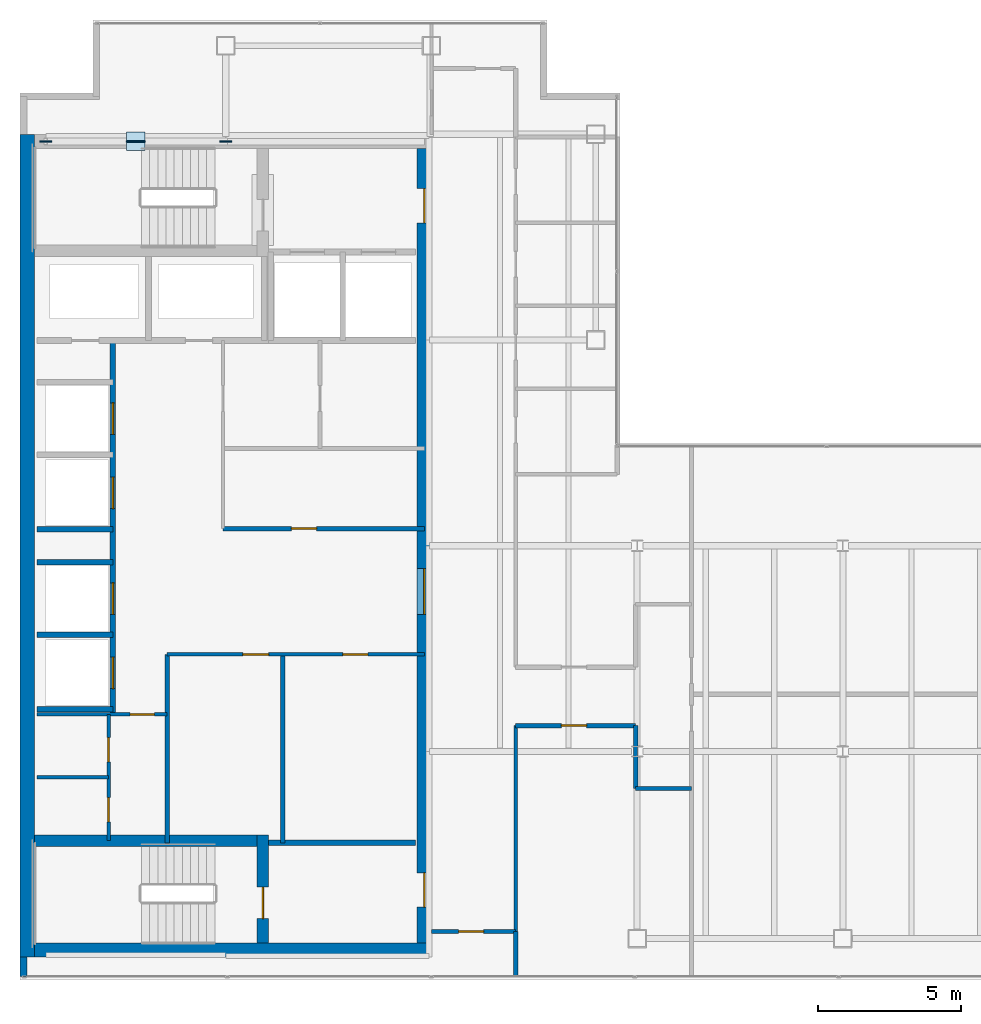
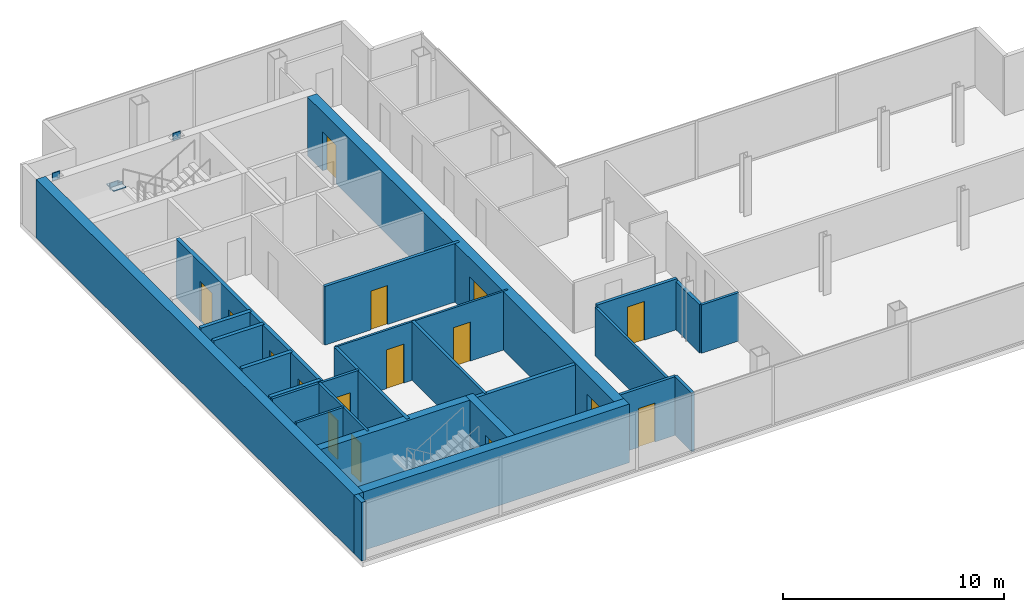
# One storey, part 20 of 23: 25 walls, 16 doors, 5 plates, 16 openings.
"""IFC4 building model written with IfcOpenShell, lengths in metres."""

from ifc_helpers import new_model, si_unit, direction, frame, frame_2d, origin, origin_2d, place, context, subcontext, project, spatial, rectangle, extrude, material, layer, layer_set, type_object, element, fill, save


model = new_model("IFC4")

# Units and contexts
model_context = context("Model", 3, precision=1e-05, world=origin(), true_north=direction((0.0, 1.0)))
body_context = subcontext(model_context, "Body", "Model", "MODEL_VIEW")
ifc_project = project(units=[si_unit("LENGTHUNIT", "METRE"), si_unit("AREAUNIT", "SQUARE_METRE"), si_unit("VOLUMEUNIT", "CUBIC_METRE"), si_unit("PLANEANGLEUNIT", "RADIAN"), si_unit("MASSUNIT", "GRAM", prefix="KILO")], contexts=[model_context])

# Site, building, storey
site_placement = place(None, origin())
site = spatial("IfcSite", under=ifc_project, at=site_placement, CompositionType="ELEMENT")
building_placement = place(site_placement, origin())
building = spatial("IfcBuilding", under=site, at=building_placement, Name="Cobrela Telecom Tower", CompositionType="ELEMENT")
storey_placement = place(building_placement, frame((0.0, 0.0, 255.14990234375)))
storey = spatial("IfcBuildingStorey", under=building, at=storey_placement, Name="L66", CompositionType="ELEMENT", Elevation=255.14990234375)

# Plates
ifc_material_1 = material(Name="Steel ASTM A572 Grade 50", Category="steel")
ifc_layer_1 = layer(ifc_material_1, 0.0419921875)
ifc_layer_set_1 = layer_set([ifc_layer_1], Name="Steel ASTM A572 Grade 50")
plate_type = type_object("IfcPlateType", Name="PLT-NODE-ND1", PredefinedType="USERDEFINED", material=ifc_layer_set_1)
for number, where, z_axis, x_axis, name in (
    (1, (7.199951171875, 35.75, 3.0751953125), (0.0, 0.0, 1.0), (1.0, 0.0, 0.0), "Steel node plate PLT-MBR-EXO-L66-N1-A-1"),
    (2, (4.173828125, 35.75, 1.349609375), (0.0, 0.0, 1.0), (-1.0, 0.0, 0.0), "Steel node plate PLT-MBR-EXO-L66-N1-B1-1"),
    (3, (3.926025390625, 35.75, 1.48046875), (0.0, 0.0, 1.0), (-1.0, 0.0, 0.0), "Steel node plate PLT-MBR-EXO-L66-N1-B2-0"),
    (4, (0.89990234375, 35.75, 3.0751953125), (0.0, 0.0, 1.0), (-1.0, 0.0, 0.0), "Steel node plate PLT-MBR-EXO-L66-N1-B2-1"),
):
    element("IfcPlate", number, at=place(storey_placement, frame(where, z_axis=z_axis, x_axis=x_axis)), inside=storey, type_object=plate_type, Name=name, ObjectType="GUSSET PLATE", PredefinedType="USERDEFINED", context=body_context, shape_type="SweptSolid", body=[
        extrude(rectangle(XDim=0.409912109375, YDim=0.044921875, at=origin_2d()), origin(), (0.0, 0.0, 1.0), 0.409912109375),
    ])
plate_placement = place(storey_placement, frame((4.050048828125, 35.75, 1.59765625), z_axis=(0.0, 0.0, 1.0), x_axis=(1.0, 0.0, 0.0)))
element("IfcPlate", 5, at=plate_placement, inside=storey, type_object=plate_type, Name="L66 Core Flange Steel X-Brace Central X-Crossing Gusset Plate", ObjectType="GUSSET PLATE", PredefinedType="USERDEFINED", context=body_context, shape_type="SweptSolid", body=[
    extrude(rectangle(XDim=0.64990234375, YDim=0.64990234375, at=origin_2d()), origin(), (0.0, 0.0, 1.0), 0.044921875),
])

# Walls
ifc_material_2 = material(Name="Concrete C40/50", Category="concrete")
ifc_layer_2 = layer(ifc_material_2, 0.5)
ifc_layer_set_2 = layer_set([ifc_layer_2], Name="Concrete C40/50")
wall_type_1 = type_object("IfcWallType", Name="WALL-CORE-C40-500", PredefinedType="SHEAR", material=ifc_layer_set_2)
wall_1_placement = place(storey_placement, frame((0.25, 7.199951171875, 0.0), z_axis=(0.0, 0.0, 1.0), x_axis=(0.0, 1.0, 0.0)))
element("IfcWall", 6, at=wall_1_placement, inside=storey, type_object=wall_type_1, Name="L66 West Core Shear Wall", PredefinedType="SHEAR", context=body_context, shape_type="SweptSolid", body=[
    extrude(rectangle(XDim=28.800048828125, YDim=0.5, at=frame_2d((14.39990234375, 0.0))), origin(), (0.0, 0.0, 1.0), 3.239990234375),
])
wall_2_placement = place(storey_placement, frame((0.5, 7.449951171875, 0.0), z_axis=(0.0, 0.0, 1.0), x_axis=(1.0, 0.0, 0.0)))
element("IfcWall", 7, at=wall_2_placement, inside=storey, type_object=wall_type_1, Name="L66 South Core Shear Wall", PredefinedType="SHEAR", context=body_context, shape_type="SweptSolid", body=[
    extrude(rectangle(XDim=13.89990234375, YDim=0.5, at=frame_2d((6.949951171875, 0.0))), origin(), (0.0, 0.0, 1.0), 3.239990234375),
])

# Wall, openings, doors
wall_3_placement = place(storey_placement, frame((14.14990234375, 35.5, 0.0), z_axis=(0.0, 0.0, 1.0), x_axis=(0.0, -1.0, 0.0)))
wall_3 = element("IfcWall", 8, at=wall_3_placement, inside=storey, type_object=wall_type_1, Name="L66 East Core Shear Wall", PredefinedType="SHEAR", context=body_context, shape_type="SweptSolid", body=[
    extrude(rectangle(XDim=27.800048828125, YDim=0.5, at=frame_2d((13.89990234375, 0.0))), origin(), (0.0, 0.0, 1.0), 3.239990234375),
])
opening_1_placement = place(wall_3_placement, frame((1.39990234375, 0.0, 0.0)))
opening_1 = element("IfcOpeningElement", 9, at=opening_1_placement, cuts=wall_3, Name="Opening DR-19", PredefinedType="OPENING", context=body_context, shape_type="SweptSolid", body=[
    extrude(rectangle(XDim=1.199951171875, YDim=2.14990234375, at=frame_2d((0.60009765625, 1.074951171875))), frame((0.0, 0.261962890625, 0.0), z_axis=(0.0, -1.0, 0.0), x_axis=(1.0, 0.0, 0.0)), (0.0, 0.0, 1.0), 0.52392578125),
])
opening_2_placement = place(wall_3_placement, frame((25.35009765625, 0.0, 0.0)))
opening_2 = element("IfcOpeningElement", 10, at=opening_2_placement, cuts=wall_3, Name="Opening DR-19", PredefinedType="OPENING", context=body_context, shape_type="SweptSolid", body=[
    extrude(rectangle(XDim=1.199951171875, YDim=2.14990234375, at=frame_2d((0.60009765625, 1.074951171875))), frame((0.0, 0.261962890625, 0.0), z_axis=(0.0, -1.0, 0.0), x_axis=(1.0, 0.0, 0.0)), (0.0, 0.0, 1.0), 0.52392578125),
])
opening_3_placement = place(wall_3_placement, frame((14.699951171875, 0.0, 0.0)))
opening_3 = element("IfcOpeningElement", 11, at=opening_3_placement, cuts=wall_3, Name="Opening DR-51", PredefinedType="OPENING", context=body_context, shape_type="SweptSolid", body=[
    extrude(rectangle(XDim=1.60009765625, YDim=2.199951171875, at=frame_2d((0.800048828125, 1.10009765625))), frame((0.0, 0.261962890625, 0.0), z_axis=(0.0, -1.0, 0.0), x_axis=(1.0, 0.0, 0.0)), (0.0, 0.0, 1.0), 0.52392578125),
])
ifc_material_3 = material(Name="Steel ASTM A36", Category="steel")
door_type_1 = type_object("IfcDoorType", Name="DOOR-FD60-1200", OperationType="SINGLE_SWING_LEFT", PredefinedType="DOOR", material=ifc_material_3)
door_1_placement = place(opening_1_placement, origin())
door_1 = element("IfcDoor", 12, at=door_1_placement, inside=storey, type_object=door_type_1, Name="L66 Door DR-19", OperationType="SINGLE_SWING_LEFT", OverallHeight=2.14990234375, OverallWidth=1.199951171875, PredefinedType="DOOR", context=body_context, shape_type="SweptSolid", body=[
    extrude(rectangle(XDim=1.199951171875, YDim=2.14990234375, at=frame_2d((0.60009765625, 1.074951171875))), frame((0.0, 0.02490234375, 0.0), z_axis=(0.0, -1.0, 0.0), x_axis=(1.0, 0.0, 0.0)), (0.0, 0.0, 1.0), 0.050048828125),
])
fill(opening_1, door_1)
door_2_placement = place(opening_2_placement, origin())
door_2 = element("IfcDoor", 13, at=door_2_placement, inside=storey, type_object=door_type_1, Name="L66 Door DR-19", OperationType="SINGLE_SWING_RIGHT", OverallHeight=2.14990234375, OverallWidth=1.199951171875, PredefinedType="DOOR", context=body_context, shape_type="SweptSolid", body=[
    extrude(rectangle(XDim=1.199951171875, YDim=2.14990234375, at=frame_2d((0.60009765625, 1.074951171875))), frame((0.0, 0.02490234375, 0.0), z_axis=(0.0, -1.0, 0.0), x_axis=(1.0, 0.0, 0.0)), (0.0, 0.0, 1.0), 0.050048828125),
])
fill(opening_2, door_2)
door_type_2 = type_object("IfcDoorType", Name="DOOR-FD60-1600", OperationType="SINGLE_SWING_LEFT", PredefinedType="DOOR", material=ifc_material_3)
door_3_placement = place(opening_3_placement, origin())
door_3 = element("IfcDoor", 14, at=door_3_placement, inside=storey, type_object=door_type_2, Name="L66 Door DR-51", OperationType="DOUBLE_DOOR_SINGLE_SWING", OverallHeight=2.199951171875, OverallWidth=1.60009765625, PredefinedType="DOOR", context=body_context, shape_type="SweptSolid", body=[
    extrude(rectangle(XDim=1.60009765625, YDim=2.199951171875, at=frame_2d((0.800048828125, 1.10009765625))), frame((0.0, 0.02490234375, 0.0), z_axis=(0.0, -1.0, 0.0), x_axis=(1.0, 0.0, 0.0)), (0.0, 0.0, 1.0), 0.050048828125),
])
fill(opening_3, door_3)

# Wall
ifc_layer_3 = layer(ifc_material_2, 0.239990234375)
ifc_layer_set_3 = layer_set([ifc_layer_3], Name="Concrete C40/50")
wall_type_2 = type_object("IfcWallType", Name="WALL-EXT-300", PredefinedType="STANDARD", material=ifc_layer_set_3)
wall_4_placement = place(storey_placement, frame((0.1201171875, 6.52001953125, 0.0), z_axis=(0.0, 0.0, 1.0), x_axis=(0.0, 1.0, 0.0)))
element("IfcWall", 15, at=wall_4_placement, inside=storey, type_object=wall_type_2, Name="L66 Insulated Facade Wall 01", PredefinedType="STANDARD", context=body_context, shape_type="SweptSolid", body=[
    extrude(rectangle(XDim=0.679931640625, YDim=0.239990234375, at=frame_2d((0.33984375, 0.0))), origin(), (0.0, 0.0, 1.0), 3.239990234375),
])

# Wall, openings, doors
ifc_material_4 = material(Name="Fire-Rated Gypsum Plasterboard")
ifc_layer_4 = layer(ifc_material_4, 0.110107421875)
ifc_layer_set_4 = layer_set([ifc_layer_4], Name="Fire-Rated Gypsum Plasterboard")
wall_type_3 = type_object("IfcWallType", Name="WALL-PART-110", PredefinedType="PARTITIONING", material=ifc_layer_set_4)
wall_5_placement = place(storey_placement, frame((5.14990234375, 17.800048828125, 0.0), z_axis=(0.0, 0.0, 1.0), x_axis=(1.0, 0.0, 0.0)))
wall_5 = element("IfcWall", 16, at=wall_5_placement, inside=storey, type_object=wall_type_3, Name="L66 Interior Partition CW-RECM-N", PredefinedType="PARTITIONING", context=body_context, shape_type="SweptSolid", body=[
    extrude(rectangle(XDim=9.0, YDim=0.110107421875, at=frame_2d((4.5, 0.0))), origin(), (0.0, 0.0, 1.0), 3.239990234375),
])
opening_4_placement = place(wall_5_placement, frame((2.64990234375, 0.0, 0.0)))
opening_4 = element("IfcOpeningElement", 17, at=opening_4_placement, cuts=wall_5, Name="Opening DR-41", PredefinedType="OPENING", context=body_context, shape_type="SweptSolid", body=[
    extrude(rectangle(XDim=0.89990234375, YDim=2.14990234375, at=frame_2d((0.449951171875, 1.074951171875))), frame((0.0, 0.06689453125, 0.0), z_axis=(0.0, -1.0, 0.0), x_axis=(1.0, 0.0, 0.0)), (0.0, 0.0, 1.0), 0.134033203125),
])
opening_5_placement = place(wall_5_placement, frame((6.14990234375, 0.0, 0.0)))
opening_5 = element("IfcOpeningElement", 18, at=opening_5_placement, cuts=wall_5, Name="Opening DR-39", PredefinedType="OPENING", context=body_context, shape_type="SweptSolid", body=[
    extrude(rectangle(XDim=0.8798828125, YDim=2.14990234375, at=frame_2d((0.43994140625, 1.074951171875))), frame((0.0, 0.06689453125, 0.0), z_axis=(0.0, -1.0, 0.0), x_axis=(1.0, 0.0, 0.0)), (0.0, 0.0, 1.0), 0.134033203125),
])
ifc_material_5 = material(Name="Solid Engineered Oak Timber", Category="wood")
door_type_3 = type_object("IfcDoorType", Name="DOOR-INT-880", OperationType="SINGLE_SWING_LEFT", PredefinedType="DOOR", material=ifc_material_5)
door_4_placement = place(opening_5_placement, origin())
door_4 = element("IfcDoor", 19, at=door_4_placement, inside=storey, type_object=door_type_3, Name="L66 Door DR-39", OperationType="SINGLE_SWING_RIGHT", OverallHeight=2.14990234375, OverallWidth=0.8798828125, PredefinedType="DOOR", context=body_context, shape_type="SweptSolid", body=[
    extrude(rectangle(XDim=0.8798828125, YDim=2.14990234375, at=frame_2d((0.43994140625, 1.074951171875))), frame((0.0, 0.02490234375, 0.0), z_axis=(0.0, -1.0, 0.0), x_axis=(1.0, 0.0, 0.0)), (0.0, 0.0, 1.0), 0.050048828125),
])
fill(opening_5, door_4)
door_type_4 = type_object("IfcDoorType", Name="DOOR-INT-900", OperationType="SINGLE_SWING_LEFT", PredefinedType="DOOR", material=ifc_material_5)
door_5_placement = place(opening_4_placement, origin())
door_5 = element("IfcDoor", 20, at=door_5_placement, inside=storey, type_object=door_type_4, Name="L66 Door DR-41", OperationType="SINGLE_SWING_LEFT", OverallHeight=2.14990234375, OverallWidth=0.89990234375, PredefinedType="DOOR", context=body_context, shape_type="SweptSolid", body=[
    extrude(rectangle(XDim=0.89990234375, YDim=2.14990234375, at=frame_2d((0.449951171875, 1.074951171875))), frame((0.0, 0.02490234375, 0.0), z_axis=(0.0, -1.0, 0.0), x_axis=(1.0, 0.0, 0.0)), (0.0, 0.0, 1.0), 0.050048828125),
])
fill(opening_4, door_5)

# Wall
ifc_layer_5 = layer(ifc_material_4, 0.125)
ifc_layer_set_5 = layer_set([ifc_layer_5], Name="Fire-Rated Gypsum Plasterboard")
wall_type_4 = type_object("IfcWallType", Name="WALL-PART-125", PredefinedType="PARTITIONING", material=ifc_layer_set_5)
wall_6_placement = place(storey_placement, frame((0.60009765625, 13.5, 0.0), z_axis=(0.0, 0.0, 1.0), x_axis=(1.0, 0.0, 0.0)))
element("IfcWall", 21, at=wall_6_placement, inside=storey, type_object=wall_type_4, Name="L66 Interior Partition CW-FK3-H", PredefinedType="PARTITIONING", context=body_context, shape_type="SweptSolid", body=[
    extrude(rectangle(XDim=2.5, YDim=0.125, at=frame_2d((1.25, 0.0))), origin(), (0.0, 0.0, 1.0), 3.239990234375),
])

# Wall, openings, doors
wall_7_placement = place(storey_placement, frame((3.10009765625, 11.280029296875, 0.0), z_axis=(0.0, 0.0, 1.0), x_axis=(0.0, 1.0, 0.0)))
wall_7 = element("IfcWall", 22, at=wall_7_placement, inside=storey, type_object=wall_type_4, Name="L66 Interior Partition CW-FK3-V", PredefinedType="PARTITIONING", context=body_context, shape_type="SweptSolid", body=[
    extrude(rectangle(XDim=4.419921875, YDim=0.125, at=frame_2d((2.2099609375, 0.0))), origin(), (0.0, 0.0, 1.0), 3.239990234375),
])
opening_6_placement = place(wall_7_placement, frame((0.64990234375, 0.0, 0.0)))
opening_6 = element("IfcOpeningElement", 23, at=opening_6_placement, cuts=wall_7, Name="Opening DR-11", PredefinedType="OPENING", context=body_context, shape_type="SweptSolid", body=[
    extrude(rectangle(XDim=0.85009765625, YDim=2.14990234375, at=frame_2d((0.425048828125, 1.074951171875))), frame((0.0, 0.074462890625, 0.0), z_axis=(0.0, -1.0, 0.0), x_axis=(1.0, 0.0, 0.0)), (0.0, 0.0, 1.0), 0.14892578125),
])
opening_7_placement = place(wall_7_placement, frame((2.75, 0.0, 0.0)))
opening_7 = element("IfcOpeningElement", 24, at=opening_7_placement, cuts=wall_7, Name="Opening DR-11", PredefinedType="OPENING", context=body_context, shape_type="SweptSolid", body=[
    extrude(rectangle(XDim=0.85009765625, YDim=2.14990234375, at=frame_2d((0.425048828125, 1.074951171875))), frame((0.0, 0.074462890625, 0.0), z_axis=(0.0, -1.0, 0.0), x_axis=(1.0, 0.0, 0.0)), (0.0, 0.0, 1.0), 0.14892578125),
])
door_type_5 = type_object("IfcDoorType", Name="DOOR-INT-850", OperationType="SINGLE_SWING_LEFT", PredefinedType="DOOR", material=ifc_material_5)
door_6_placement = place(opening_6_placement, origin())
door_6 = element("IfcDoor", 25, at=door_6_placement, inside=storey, type_object=door_type_5, Name="L66 Door DR-11", OperationType="SINGLE_SWING_LEFT", OverallHeight=2.14990234375, OverallWidth=0.85009765625, PredefinedType="DOOR", context=body_context, shape_type="SweptSolid", body=[
    extrude(rectangle(XDim=0.85009765625, YDim=2.14990234375, at=frame_2d((0.425048828125, 1.074951171875))), frame((0.0, 0.02490234375, 0.0), z_axis=(0.0, -1.0, 0.0), x_axis=(1.0, 0.0, 0.0)), (0.0, 0.0, 1.0), 0.050048828125),
])
fill(opening_6, door_6)
door_7_placement = place(opening_7_placement, origin())
door_7 = element("IfcDoor", 26, at=door_7_placement, inside=storey, type_object=door_type_5, Name="L66 Door DR-11", OperationType="SINGLE_SWING_RIGHT", OverallHeight=2.14990234375, OverallWidth=0.85009765625, PredefinedType="DOOR", context=body_context, shape_type="SweptSolid", body=[
    extrude(rectangle(XDim=0.85009765625, YDim=2.14990234375, at=frame_2d((0.425048828125, 1.074951171875))), frame((0.0, 0.02490234375, 0.0), z_axis=(0.0, -1.0, 0.0), x_axis=(1.0, 0.0, 0.0)), (0.0, 0.0, 1.0), 0.050048828125),
])
fill(opening_7, door_7)

# Wall, opening, door
ifc_layer_6 = layer(ifc_material_4, 0.135009765625)
ifc_layer_set_6 = layer_set([ifc_layer_6], Name="Fire-Rated Gypsum Plasterboard")
wall_type_5 = type_object("IfcWallType", Name="WALL-PART-135", PredefinedType="PARTITIONING", material=ifc_layer_set_6)
wall_8_placement = place(storey_placement, frame((0.60009765625, 15.699951171875, 0.0), z_axis=(0.0, 0.0, 1.0), x_axis=(1.0, 0.0, 0.0)))
wall_8 = element("IfcWall", 27, at=wall_8_placement, inside=storey, type_object=wall_type_5, Name="L66 Interior Partition CW-FLEX-N", PredefinedType="PARTITIONING", context=body_context, shape_type="SweptSolid", body=[
    extrude(rectangle(XDim=4.5498046875, YDim=0.135009765625, at=frame_2d((2.27490234375, 0.0))), origin(), (0.0, 0.0, 1.0), 3.239990234375),
])
opening_8_placement = place(wall_8_placement, frame((3.25, 0.0, 0.0)))
opening_8 = element("IfcOpeningElement", 28, at=opening_8_placement, cuts=wall_8, Name="Opening DR-11", PredefinedType="OPENING", context=body_context, shape_type="SweptSolid", body=[
    extrude(rectangle(XDim=0.85009765625, YDim=2.14990234375, at=frame_2d((0.425048828125, 1.074951171875))), frame((0.0, 0.07958984375, 0.0), z_axis=(0.0, -1.0, 0.0), x_axis=(1.0, 0.0, 0.0)), (0.0, 0.0, 1.0), 0.158935546875),
])
door_8_placement = place(opening_8_placement, origin())
door_8 = element("IfcDoor", 29, at=door_8_placement, inside=storey, type_object=door_type_5, Name="L66 Door DR-11", OperationType="SINGLE_SWING_LEFT", OverallHeight=2.14990234375, OverallWidth=0.85009765625, PredefinedType="DOOR", context=body_context, shape_type="SweptSolid", body=[
    extrude(rectangle(XDim=0.85009765625, YDim=2.14990234375, at=frame_2d((0.425048828125, 1.074951171875))), frame((0.0, 0.02490234375, 0.0), z_axis=(0.0, -1.0, 0.0), x_axis=(1.0, 0.0, 0.0)), (0.0, 0.0, 1.0), 0.050048828125),
])
fill(opening_8, door_8)

# Walls
wall_9_placement = place(storey_placement, frame((17.35009765625, 8.10009765625, 0.0), z_axis=(0.0, 0.0, 1.0), x_axis=(0.0, 1.0, 0.0)))
element("IfcWall", 30, at=wall_9_placement, inside=storey, type_object=wall_type_5, Name="L66 Interior Partition W-C-E1", PredefinedType="PARTITIONING", context=body_context, shape_type="SweptSolid", body=[
    extrude(rectangle(XDim=7.199951171875, YDim=0.135009765625, at=frame_2d((3.60009765625, 0.0))), origin(), (0.0, 0.0, 1.0), 2.676025390625),
])
wall_10_placement = place(storey_placement, frame((21.550048828125, 13.10009765625, 0.0), z_axis=(0.0, 0.0, 1.0), x_axis=(1.0, 0.0, 0.0)))
element("IfcWall", 31, at=wall_10_placement, inside=storey, type_object=wall_type_5, Name="L66 Interior Partition W-CT-S", PredefinedType="PARTITIONING", context=body_context, shape_type="SweptSolid", body=[
    extrude(rectangle(XDim=1.949951171875, YDim=0.135009765625, at=frame_2d((0.97509765625, 0.0))), origin(), (0.0, 0.0, 1.0), 2.676025390625),
])
ifc_layer_7 = layer(ifc_material_4, 0.14990234375)
ifc_layer_set_7 = layer_set([ifc_layer_7], Name="Fire-Rated Gypsum Plasterboard")
wall_type_6 = type_object("IfcWallType", Name="WALL-PART-150", PredefinedType="PARTITIONING", material=ifc_layer_set_7)
wall_11_placement = place(storey_placement, frame((9.199951171875, 11.199951171875, 0.0), z_axis=(0.0, 0.0, 1.0), x_axis=(0.0, 1.0, 0.0)))
element("IfcWall", 32, at=wall_11_placement, inside=storey, type_object=wall_type_6, Name="L66 Interior Partition CW-RECM-V", PredefinedType="PARTITIONING", context=body_context, shape_type="SweptSolid", body=[
    extrude(rectangle(XDim=6.60009765625, YDim=0.14990234375, at=frame_2d((3.300048828125, 0.0))), origin(), (0.0, 0.0, 1.0), 3.239990234375),
])

# Wall, opening, door
wall_12_placement = place(storey_placement, frame((14.39990234375, 8.10009765625, 0.0), z_axis=(0.0, 0.0, 1.0), x_axis=(1.0, 0.0, 0.0)))
wall_12 = element("IfcWall", 33, at=wall_12_placement, inside=storey, type_object=wall_type_6, Name="L66 Interior Partition W-C-S0", PredefinedType="PARTITIONING", context=body_context, shape_type="SweptSolid", body=[
    extrude(rectangle(XDim=2.9501953125, YDim=0.14990234375, at=frame_2d((1.47509765625, 0.0))), origin(), (0.0, 0.0, 1.0), 3.239990234375),
])
opening_9_placement = place(wall_12_placement, frame((0.949951171875, 0.0, 0.0)))
opening_9 = element("IfcOpeningElement", 34, at=opening_9_placement, cuts=wall_12, Name="Opening DR-39", PredefinedType="OPENING", context=body_context, shape_type="SweptSolid", body=[
    extrude(rectangle(XDim=0.8798828125, YDim=2.14990234375, at=frame_2d((0.43994140625, 1.074951171875))), frame((0.0, 0.0869140625, 0.0), z_axis=(0.0, -1.0, 0.0), x_axis=(1.0, 0.0, 0.0)), (0.0, 0.0, 1.0), 0.173828125),
])
door_9_placement = place(opening_9_placement, origin())
door_9 = element("IfcDoor", 35, at=door_9_placement, inside=storey, type_object=door_type_3, Name="L66 Door DR-39", OperationType="SINGLE_SWING_RIGHT", OverallHeight=2.14990234375, OverallWidth=0.8798828125, PredefinedType="DOOR", context=body_context, shape_type="SweptSolid", body=[
    extrude(rectangle(XDim=0.8798828125, YDim=2.14990234375, at=frame_2d((0.43994140625, 1.074951171875))), frame((0.0, 0.02490234375, 0.0), z_axis=(0.0, -1.0, 0.0), x_axis=(1.0, 0.0, 0.0)), (0.0, 0.0, 1.0), 0.050048828125),
])
fill(opening_9, door_9)

ifc_layer_8 = layer(ifc_material_4, 0.159912109375)
ifc_layer_set_8 = layer_set([ifc_layer_8], Name="Fire-Rated Gypsum Plasterboard")
wall_type_7 = type_object("IfcWallType", Name="WALL-PART-160", PredefinedType="PARTITIONING", material=ifc_layer_set_8)
wall_13_placement = place(storey_placement, frame((7.10009765625, 22.199951171875, 0.0), z_axis=(0.0, 0.0, 1.0), x_axis=(1.0, 0.0, 0.0)))
wall_13 = element("IfcWall", 36, at=wall_13_placement, inside=storey, type_object=wall_type_7, Name="L66 Interior Partition CW-RECL-S", PredefinedType="PARTITIONING", context=body_context, shape_type="SweptSolid", body=[
    extrude(rectangle(XDim=7.0498046875, YDim=0.159912109375, at=frame_2d((3.52490234375, 0.0))), origin(), (0.0, 0.0, 1.0), 3.239990234375),
])
opening_10_placement = place(wall_13_placement, frame((2.39990234375, 0.0, 0.0)))
opening_10 = element("IfcOpeningElement", 37, at=opening_10_placement, cuts=wall_13, Name="Opening DR-39", PredefinedType="OPENING", context=body_context, shape_type="SweptSolid", body=[
    extrude(rectangle(XDim=0.8798828125, YDim=2.14990234375, at=frame_2d((0.43994140625, 1.074951171875))), frame((0.0, 0.091796875, 0.0), z_axis=(0.0, -1.0, 0.0), x_axis=(1.0, 0.0, 0.0)), (0.0, 0.0, 1.0), 0.183837890625),
])
door_10_placement = place(opening_10_placement, origin())
door_10 = element("IfcDoor", 38, at=door_10_placement, inside=storey, type_object=door_type_3, Name="L66 Door DR-39", OperationType="SINGLE_SWING_LEFT", OverallHeight=2.14990234375, OverallWidth=0.8798828125, PredefinedType="DOOR", context=body_context, shape_type="SweptSolid", body=[
    extrude(rectangle(XDim=0.8798828125, YDim=2.14990234375, at=frame_2d((0.43994140625, 1.074951171875))), frame((0.0, 0.02490234375, 0.0), z_axis=(0.0, -1.0, 0.0), x_axis=(1.0, 0.0, 0.0)), (0.0, 0.0, 1.0), 0.050048828125),
])
fill(opening_10, door_10)

# Wall
wall_14_placement = place(storey_placement, frame((5.14990234375, 11.199951171875, 0.0), z_axis=(0.0, 0.0, 1.0), x_axis=(0.0, 1.0, 0.0)))
element("IfcWall", 39, at=wall_14_placement, inside=storey, type_object=wall_type_7, Name="L66 Interior Partition CW-RECM-W", PredefinedType="PARTITIONING", context=body_context, shape_type="SweptSolid", body=[
    extrude(rectangle(XDim=6.60009765625, YDim=0.159912109375, at=frame_2d((3.300048828125, 0.0))), origin(), (0.0, 0.0, 1.0), 3.239990234375),
])

# Wall, opening, door
wall_15_placement = place(storey_placement, frame((17.35009765625, 15.300048828125, 0.0), z_axis=(0.0, 0.0, 1.0), x_axis=(1.0, 0.0, 0.0)))
wall_15 = element("IfcWall", 40, at=wall_15_placement, inside=storey, type_object=wall_type_7, Name="L66 Interior Partition W-C-HS", PredefinedType="PARTITIONING", context=body_context, shape_type="SweptSolid", body=[
    extrude(rectangle(XDim=4.199951171875, YDim=0.159912109375, at=frame_2d((2.10009765625, 0.0))), origin(), (0.0, 0.0, 1.0), 2.80810546875),
])
opening_11_placement = place(wall_15_placement, frame((1.60009765625, 0.0, 0.0)))
opening_11 = element("IfcOpeningElement", 41, at=opening_11_placement, cuts=wall_15, Name="Opening DR-39", PredefinedType="OPENING", context=body_context, shape_type="SweptSolid", body=[
    extrude(rectangle(XDim=0.8798828125, YDim=2.14990234375, at=frame_2d((0.43994140625, 1.074951171875))), frame((0.0, 0.091796875, 0.0), z_axis=(0.0, -1.0, 0.0), x_axis=(1.0, 0.0, 0.0)), (0.0, 0.0, 1.0), 0.183837890625),
])
door_11_placement = place(opening_11_placement, origin())
door_11 = element("IfcDoor", 42, at=door_11_placement, inside=storey, type_object=door_type_3, Name="L66 Door DR-39", OperationType="SINGLE_SWING_LEFT", OverallHeight=2.14990234375, OverallWidth=0.8798828125, PredefinedType="DOOR", context=body_context, shape_type="SweptSolid", body=[
    extrude(rectangle(XDim=0.8798828125, YDim=2.14990234375, at=frame_2d((0.43994140625, 1.074951171875))), frame((0.0, 0.02490234375, 0.0), z_axis=(0.0, -1.0, 0.0), x_axis=(1.0, 0.0, 0.0)), (0.0, 0.0, 1.0), 0.050048828125),
])
fill(opening_11, door_11)

# Walls
wall_16_placement = place(storey_placement, frame((21.550048828125, 13.10009765625, 0.0), z_axis=(0.0, 0.0, 1.0), x_axis=(0.0, 1.0, 0.0)))
element("IfcWall", 43, at=wall_16_placement, inside=storey, type_object=wall_type_7, Name="L66 Interior Partition W-CT-JW1", PredefinedType="PARTITIONING", context=body_context, shape_type="SweptSolid", body=[
    extrude(rectangle(XDim=2.199951171875, YDim=0.159912109375, at=frame_2d((1.10009765625, 0.0))), origin(), (0.0, 0.0, 1.0), 2.676025390625),
])
wall_17_placement = place(storey_placement, frame((17.35009765625, 6.52001953125, 0.0), z_axis=(0.0, 0.0, 1.0), x_axis=(0.0, 1.0, 0.0)))
element("IfcWall", 44, at=wall_17_placement, inside=storey, type_object=wall_type_7, Name="L66 Interior Partition W-SW-E", PredefinedType="PARTITIONING", context=body_context, shape_type="SweptSolid", body=[
    extrude(rectangle(XDim=1.580078125, YDim=0.159912109375, at=frame_2d((0.7900390625, 0.0))), origin(), (0.0, 0.0, 1.0), 3.239990234375),
])
ifc_layer_9 = layer(ifc_material_4, 0.199951171875)
ifc_layer_set_9 = layer_set([ifc_layer_9], Name="Fire-Rated Gypsum Plasterboard")
wall_type_8 = type_object("IfcWallType", Name="WALL-SHAFT-200", PredefinedType="PARTITIONING", material=ifc_layer_set_9)
wall_18_placement = place(storey_placement, frame((8.699951171875, 11.199951171875, 0.0), z_axis=(0.0, 0.0, 1.0), x_axis=(1.0, 0.0, 0.0)))
element("IfcWall", 45, at=wall_18_placement, inside=storey, type_object=wall_type_8, Name="L66 Shaft Enclosure CW-ST2L-N", PredefinedType="PARTITIONING", context=body_context, shape_type="SweptSolid", body=[
    extrude(rectangle(XDim=5.150146484375, YDim=0.199951171875, at=frame_2d((2.5751953125, 0.0))), origin(), (0.0, 0.0, 1.0), 3.239990234375),
])

# Wall, openings, doors
wall_19_placement = place(storey_placement, frame((3.25, 15.699951171875, 0.0), z_axis=(0.0, 0.0, 1.0), x_axis=(0.0, 1.0, 0.0)))
wall_19 = element("IfcWall", 46, at=wall_19_placement, inside=storey, type_object=wall_type_8, Name="L66 Shaft Enclosure CW-PLH-E", PredefinedType="PARTITIONING", context=body_context, shape_type="SweptSolid", body=[
    extrude(rectangle(XDim=13.080078125, YDim=0.199951171875, at=frame_2d((6.5400390625, 0.0))), origin(), (0.0, 0.0, 1.0), 3.239990234375),
])
opening_12_placement = place(wall_19_placement, frame((0.89990234375, 0.0, 0.0)))
opening_12 = element("IfcOpeningElement", 47, at=opening_12_placement, cuts=wall_19, Name="Opening LD-1", PredefinedType="OPENING", context=body_context, shape_type="SweptSolid", body=[
    extrude(rectangle(XDim=1.10009765625, YDim=2.199951171875, at=frame_2d((0.550048828125, 1.10009765625))), frame((0.0, 0.11181640625, 0.0), z_axis=(0.0, -1.0, 0.0), x_axis=(1.0, 0.0, 0.0)), (0.0, 0.0, 1.0), 0.223876953125),
])
opening_13_placement = place(wall_19_placement, frame((3.5, 0.0, 0.0)))
opening_13 = element("IfcOpeningElement", 48, at=opening_13_placement, cuts=wall_19, Name="Opening LD-1", PredefinedType="OPENING", context=body_context, shape_type="SweptSolid", body=[
    extrude(rectangle(XDim=1.10009765625, YDim=2.199951171875, at=frame_2d((0.550048828125, 1.10009765625))), frame((0.0, 0.11181640625, 0.0), z_axis=(0.0, -1.0, 0.0), x_axis=(1.0, 0.0, 0.0)), (0.0, 0.0, 1.0), 0.223876953125),
])
opening_14_placement = place(wall_19_placement, frame((7.199951171875, 0.0, 0.0)))
opening_14 = element("IfcOpeningElement", 49, at=opening_14_placement, cuts=wall_19, Name="Opening LD-1", PredefinedType="OPENING", context=body_context, shape_type="SweptSolid", body=[
    extrude(rectangle(XDim=1.10009765625, YDim=2.199951171875, at=frame_2d((0.550048828125, 1.10009765625))), frame((0.0, 0.11181640625, 0.0), z_axis=(0.0, -1.0, 0.0), x_axis=(1.0, 0.0, 0.0)), (0.0, 0.0, 1.0), 0.223876953125),
])
opening_15_placement = place(wall_19_placement, frame((9.800048828125, 0.0, 0.0)))
opening_15 = element("IfcOpeningElement", 50, at=opening_15_placement, cuts=wall_19, Name="Opening LD-1", PredefinedType="OPENING", context=body_context, shape_type="SweptSolid", body=[
    extrude(rectangle(XDim=1.10009765625, YDim=2.199951171875, at=frame_2d((0.550048828125, 1.10009765625))), frame((0.0, 0.11181640625, 0.0), z_axis=(0.0, -1.0, 0.0), x_axis=(1.0, 0.0, 0.0)), (0.0, 0.0, 1.0), 0.223876953125),
])
door_type_6 = type_object("IfcDoorType", Name="DOOR-LD-PL", OperationType="SINGLE_SWING_LEFT", PredefinedType="DOOR", material=ifc_material_3)
door_12_placement = place(opening_12_placement, origin())
door_12 = element("IfcDoor", 51, at=door_12_placement, inside=storey, type_object=door_type_6, Name="L66 Lift Landing Door LD-1", OperationType="DOUBLE_DOOR_SLIDING", OverallHeight=2.199951171875, OverallWidth=1.10009765625, PredefinedType="DOOR", context=body_context, shape_type="SweptSolid", body=[
    extrude(rectangle(XDim=1.10009765625, YDim=2.199951171875, at=frame_2d((0.550048828125, 1.10009765625))), frame((0.0, 0.02490234375, 0.0), z_axis=(0.0, -1.0, 0.0), x_axis=(1.0, 0.0, 0.0)), (0.0, 0.0, 1.0), 0.050048828125),
])
fill(opening_12, door_12)
door_13_placement = place(opening_13_placement, origin())
door_13 = element("IfcDoor", 52, at=door_13_placement, inside=storey, type_object=door_type_6, Name="L66 Lift Landing Door LD-1", OperationType="DOUBLE_DOOR_SLIDING", OverallHeight=2.199951171875, OverallWidth=1.10009765625, PredefinedType="DOOR", context=body_context, shape_type="SweptSolid", body=[
    extrude(rectangle(XDim=1.10009765625, YDim=2.199951171875, at=frame_2d((0.550048828125, 1.10009765625))), frame((0.0, 0.02490234375, 0.0), z_axis=(0.0, -1.0, 0.0), x_axis=(1.0, 0.0, 0.0)), (0.0, 0.0, 1.0), 0.050048828125),
])
fill(opening_13, door_13)
door_14_placement = place(opening_14_placement, origin())
door_14 = element("IfcDoor", 53, at=door_14_placement, inside=storey, type_object=door_type_6, Name="L66 Lift Landing Door LD-1", OperationType="DOUBLE_DOOR_SLIDING", OverallHeight=2.199951171875, OverallWidth=1.10009765625, PredefinedType="DOOR", context=body_context, shape_type="SweptSolid", body=[
    extrude(rectangle(XDim=1.10009765625, YDim=2.199951171875, at=frame_2d((0.550048828125, 1.10009765625))), frame((0.0, 0.02490234375, 0.0), z_axis=(0.0, -1.0, 0.0), x_axis=(1.0, 0.0, 0.0)), (0.0, 0.0, 1.0), 0.050048828125),
])
fill(opening_14, door_14)
door_15_placement = place(opening_15_placement, origin())
door_15 = element("IfcDoor", 54, at=door_15_placement, inside=storey, type_object=door_type_6, Name="L66 Lift Landing Door LD-1", OperationType="DOUBLE_DOOR_SLIDING", OverallHeight=2.199951171875, OverallWidth=1.10009765625, PredefinedType="DOOR", context=body_context, shape_type="SweptSolid", body=[
    extrude(rectangle(XDim=1.10009765625, YDim=2.199951171875, at=frame_2d((0.550048828125, 1.10009765625))), frame((0.0, 0.02490234375, 0.0), z_axis=(0.0, -1.0, 0.0), x_axis=(1.0, 0.0, 0.0)), (0.0, 0.0, 1.0), 0.050048828125),
])
fill(opening_15, door_15)

# Walls
for number, where, z_axis, x_axis, name in (
    (55, (0.60009765625, 15.8798828125, 0.0), (0.0, 0.0, 1.0), (1.0, 0.0, 0.0), "L66 Shaft Enclosure CW-PLH-D9"),
    (56, (0.60009765625, 18.47998046875, 0.0), (0.0, 0.0, 1.0), (1.0, 0.0, 0.0), "L66 Shaft Enclosure CW-PLH-D10"),
    (57, (0.60009765625, 22.179931640625, 0.0), (0.0, 0.0, 1.0), (1.0, 0.0, 0.0), "L66 Shaft Enclosure CW-PLH-D11"),
    (58, (0.60009765625, 21.02001953125, 0.0), (0.0, 0.0, 1.0), (1.0, 0.0, 0.0), "L66 Shaft Enclosure CW-PLH-MID"),
):
    element("IfcWall", number, at=place(storey_placement, frame(where, z_axis=z_axis, x_axis=x_axis)), inside=storey, type_object=wall_type_8, Name=name, PredefinedType="PARTITIONING", context=body_context, shape_type="SweptSolid", body=[
        extrude(rectangle(XDim=2.64990234375, YDim=0.199951171875, at=frame_2d((1.324951171875, 0.0))), origin(), (0.0, 0.0, 1.0), 3.239990234375),
    ])
ifc_layer_10 = layer(ifc_material_2, 0.39990234375)
ifc_layer_set_10 = layer_set([ifc_layer_10], Name="Concrete C40/50")
wall_type_9 = type_object("IfcWallType", Name="WALL-SHAFT-C40-400", PredefinedType="SHEAR", material=ifc_layer_set_10)
wall_20_placement = place(storey_placement, frame((0.5, 11.280029296875, 0.0), z_axis=(0.0, 0.0, 1.0), x_axis=(1.0, 0.0, 0.0)))
element("IfcWall", 59, at=wall_20_placement, inside=storey, type_object=wall_type_9, Name="L66 South Stair Shear Wall", PredefinedType="SHEAR", context=body_context, shape_type="SweptSolid", body=[
    extrude(rectangle(XDim=7.800048828125, YDim=0.39990234375, at=frame_2d((3.89990234375, 0.0))), origin(), (0.0, 0.0, 1.0), 3.239990234375),
])

# Wall, opening, door
wall_21_placement = place(storey_placement, frame((8.5, 7.699951171875, 0.0), z_axis=(0.0, 0.0, 1.0), x_axis=(0.0, 1.0, 0.0)))
wall_21 = element("IfcWall", 60, at=wall_21_placement, inside=storey, type_object=wall_type_9, Name="L66 South Stair Lobby Shear Wall", PredefinedType="SHEAR", context=body_context, shape_type="SweptSolid", body=[
    extrude(rectangle(XDim=3.780029296875, YDim=0.39990234375, at=frame_2d((1.89013671875, 0.0))), origin(), (0.0, 0.0, 1.0), 3.239990234375),
])
opening_16_placement = place(wall_21_placement, frame((0.85009765625, 0.0, 0.0)))
opening_16 = element("IfcOpeningElement", 61, at=opening_16_placement, cuts=wall_21, Name="Opening FD-90", PredefinedType="OPENING", context=body_context, shape_type="SweptSolid", body=[
    extrude(rectangle(XDim=1.10009765625, YDim=2.14990234375, at=frame_2d((0.550048828125, 1.074951171875))), frame((0.0, 0.2119140625, 0.0), z_axis=(0.0, -1.0, 0.0), x_axis=(1.0, 0.0, 0.0)), (0.0, 0.0, 1.0), 0.423828125),
])
door_type_7 = type_object("IfcDoorType", Name="DOOR-FD90-1100", OperationType="SINGLE_SWING_LEFT", PredefinedType="DOOR", material=ifc_material_3)
door_16_placement = place(opening_16_placement, origin())
door_16 = element("IfcDoor", 62, at=door_16_placement, inside=storey, type_object=door_type_7, Name="L66 Door FD-90", OperationType="SINGLE_SWING_LEFT", OverallHeight=2.14990234375, OverallWidth=1.10009765625, PredefinedType="DOOR", context=body_context, shape_type="SweptSolid", body=[
    extrude(rectangle(XDim=1.10009765625, YDim=2.14990234375, at=frame_2d((0.550048828125, 1.074951171875))), frame((0.0, 0.02490234375, 0.0), z_axis=(0.0, -1.0, 0.0), x_axis=(1.0, 0.0, 0.0)), (0.0, 0.0, 1.0), 0.050048828125),
])
fill(opening_16, door_16)

save(model, "model.ifc")
